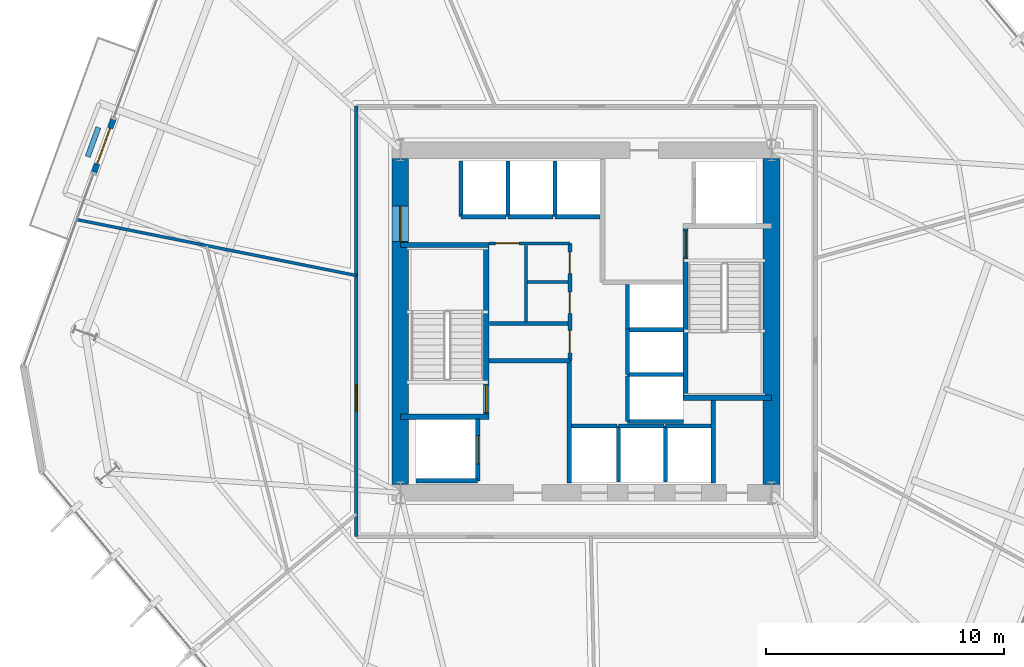
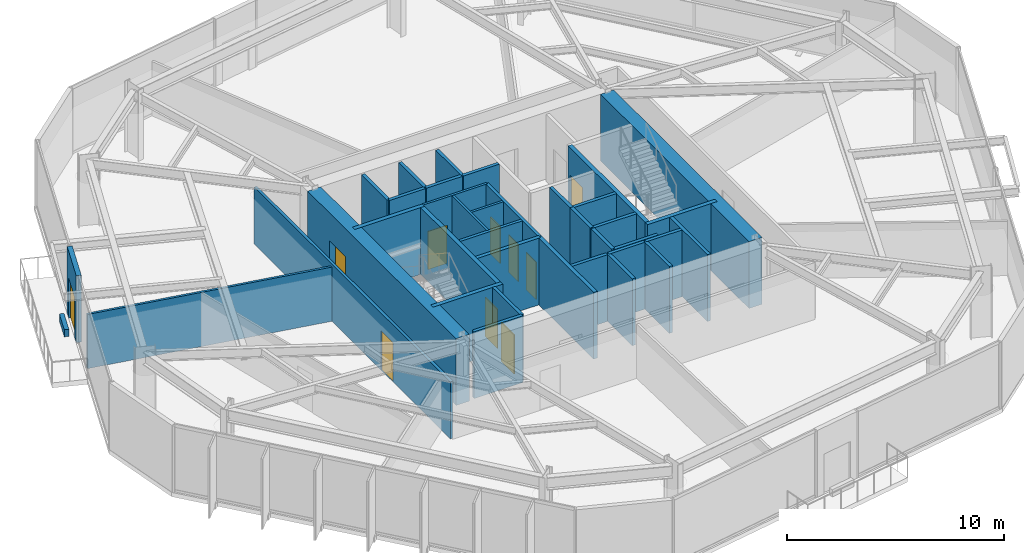
# One storey, part 6 of 10: 38 walls, 10 doors, 10 openings.
"""IFC4 building model written with IfcOpenShell, lengths in metres."""

from ifc_helpers import new_model, si_unit, direction, frame, frame_2d, origin, place, context, subcontext, project, spatial, rectangle, extrude, material, layer, layer_set, type_object, element, fill, save


model = new_model("IFC4")

# Units and contexts
model_context = context("Model", 3, precision=1e-05, world=origin(), true_north=direction((0.0, 1.0)))
body_context = subcontext(model_context, "Body", "Model", "MODEL_VIEW")
ifc_project = project(units=[si_unit("LENGTHUNIT", "METRE"), si_unit("AREAUNIT", "SQUARE_METRE"), si_unit("VOLUMEUNIT", "CUBIC_METRE"), si_unit("PLANEANGLEUNIT", "RADIAN"), si_unit("MASSUNIT", "GRAM", prefix="KILO")], contexts=[model_context])

# Site, building, storey
site_placement = place(None, origin())
site = spatial("IfcSite", under=ifc_project, at=site_placement, CompositionType="ELEMENT")
building_placement = place(site_placement, origin())
building = spatial("IfcBuilding", under=site, at=building_placement, Name="Kranzbogen Civic Tower", CompositionType="ELEMENT")
storey_placement = place(building_placement, frame((0.0, 0.0, 60.0)))
storey = spatial("IfcBuildingStorey", under=building, at=storey_placement, Name="L14", CompositionType="ELEMENT", Elevation=60.0)

# Wall, opening, door
ifc_material_1 = material(Name="Double-Stud Acoustic Gypsum Partition")
ifc_layer_1 = layer(ifc_material_1, 0.14990234375, Name="Double-Stud Acoustic Gypsum Partition")
ifc_layer_set_1 = layer_set([ifc_layer_1], Name="Double-Stud Acoustic Gypsum Partition")
wall_type_1 = type_object("IfcWallType", Name="Acoustic Corridor and Clinical Partition 150 mm", PredefinedType="PARTITIONING", material=ifc_layer_set_1)
wall_1_placement = place(storey_placement, frame((15.35009765625, 15.949951171875, 0.0), z_axis=(0.0, 0.0, 1.0), x_axis=(0.0, 1.0, 0.0)))
wall_1 = element("IfcWall", 1, at=wall_1_placement, inside=storey, type_object=wall_type_1, Name="L14 corridor partition 04", PredefinedType="PARTITIONING", context=body_context, shape_type="SweptSolid", body=[
    extrude(rectangle(XDim=18.10009765625, YDim=0.14990234375, at=frame_2d((9.050048828125, 0.0))), origin(), (0.0, 0.0, 1.0), 3.2099609375),
])
opening_1_placement = place(wall_1_placement, frame((5.2958984375, 0.0, 0.0)))
opening_1 = element("IfcOpeningElement", 2, at=opening_1_placement, cuts=wall_1, Name="Opening D-COR60", PredefinedType="OPENING", context=body_context, shape_type="SweptSolid", body=[
    extrude(rectangle(XDim=1.10009765625, YDim=2.199951171875, at=frame_2d((0.550048828125, 1.10009765625))), frame((0.0, 0.0849609375, 0.0), z_axis=(0.0, -1.0, 0.0), x_axis=(1.0, 0.0, 0.0)), (0.0, 0.0, 1.0), 0.169921875),
])
ifc_material_2 = material(Name="Oak Timber and Fire Core", Category="wood")
door_type_1 = type_object("IfcDoorType", Name="Corridor Acoustic Fire Door 1100x2200", OperationType="NOTDEFINED", PredefinedType="DOOR", material=ifc_material_2)
door_1_placement = place(opening_1_placement, origin())
door_1 = element("IfcDoor", 3, at=door_1_placement, inside=storey, type_object=door_type_1, Name="L14 Ministerial Policy Office door", OperationType="SINGLE_SWING_RIGHT", OverallHeight=2.199951171875, OverallWidth=1.10009765625, PredefinedType="DOOR", context=body_context, shape_type="SweptSolid", body=[
    extrude(rectangle(XDim=1.10009765625, YDim=2.199951171875, at=frame_2d((0.550048828125, 1.10009765625))), frame((0.0, 0.02490234375, 0.0), z_axis=(0.0, -1.0, 0.0), x_axis=(1.0, 0.0, 0.0)), (0.0, 0.0, 1.0), 0.050048828125),
])
fill(opening_1, door_1)

ifc_material_3 = material(Name="Insulated Metal-Stud Gypsum Partition")
ifc_layer_2 = layer(ifc_material_3, 0.125, Name="Insulated Metal-Stud Gypsum Partition")
ifc_layer_set_2 = layer_set([ifc_layer_2], Name="Insulated Metal-Stud Gypsum Partition")
wall_type_2 = type_object("IfcWallType", Name="Acoustic Inter-Room Partition 125 mm", PredefinedType="PARTITIONING", material=ifc_layer_set_2)
wall_2_placement = place(storey_placement, frame((20.919921875, 28.280029296875, 0.0), z_axis=(0.0, 0.0, 1.0), x_axis=(1.0, 0.0, 0.0)))
wall_2 = element("IfcWall", 4, at=wall_2_placement, inside=storey, type_object=wall_type_2, Name="L14 core auxiliary North wall", PredefinedType="PARTITIONING", context=body_context, shape_type="SweptSolid", body=[
    extrude(rectangle(XDim=3.405029296875, YDim=0.125, at=frame_2d((1.70263671875, 0.0))), origin(), (0.0, 0.0, 1.0), 3.760009765625),
])
opening_2_placement = place(wall_2_placement, frame((0.27001953125, 0.0, 0.0)))
opening_2 = element("IfcOpeningElement", 5, at=opening_2_placement, cuts=wall_2, Name="Opening D-RSR10", PredefinedType="OPENING", context=body_context, shape_type="SweptSolid", body=[
    extrude(rectangle(XDim=1.0, YDim=2.14990234375, at=frame_2d((0.5, 1.074951171875))), frame((0.0, 0.072509765625, 0.0), z_axis=(0.0, -1.0, 0.0), x_axis=(1.0, 0.0, 0.0)), (0.0, 0.0, 1.0), 0.14501953125),
])
door_type_2 = type_object("IfcDoorType", Name="Core Archive and Riser Fire Door 1000x2150", OperationType="NOTDEFINED", PredefinedType="DOOR", material=ifc_material_2)
door_2_placement = place(opening_2_placement, origin())
door_2 = element("IfcDoor", 6, at=door_2_placement, inside=storey, type_object=door_type_2, Name="L14 Floor Supply Store door", OperationType="SINGLE_SWING_RIGHT", OverallHeight=2.14990234375, OverallWidth=1.0, PredefinedType="DOOR", context=body_context, shape_type="SweptSolid", body=[
    extrude(rectangle(XDim=1.0, YDim=2.14990234375, at=frame_2d((0.5, 1.074951171875))), frame((0.0, 0.02490234375, 0.0), z_axis=(0.0, -1.0, 0.0), x_axis=(1.0, 0.0, 0.0)), (0.0, 0.0, 1.0), 0.050048828125),
])
fill(opening_2, door_2)

# Walls
wall_3_placement = place(storey_placement, frame((22.489990234375, 24.969970703125, 0.0), z_axis=(0.0, 0.0, 1.0), x_axis=(0.0, 1.0, 0.0)))
element("IfcWall", 7, at=wall_3_placement, inside=storey, type_object=wall_type_2, Name="L14 core auxiliary partition 2", PredefinedType="PARTITIONING", context=body_context, shape_type="SweptSolid", body=[
    extrude(rectangle(XDim=3.22998046875, YDim=0.125, at=frame_2d((1.614990234375, 0.0))), origin(), (0.0, 0.0, 1.0), 3.760009765625),
])
wall_4_placement = place(storey_placement, frame((22.550048828125, 26.659912109375, 0.0), z_axis=(0.0, 0.0, 1.0), x_axis=(1.0, 0.0, 0.0)))
element("IfcWall", 8, at=wall_4_placement, inside=storey, type_object=wall_type_2, Name="L14 core auxiliary partition 3", PredefinedType="PARTITIONING", context=body_context, shape_type="SweptSolid", body=[
    extrude(rectangle(XDim=1.699951171875, YDim=0.125, at=frame_2d((0.85009765625, 0.0))), origin(), (0.0, 0.0, 1.0), 3.760009765625),
])
wall_5_placement = place(storey_placement, frame((15.35009765625, 26.929931640625, 0.0), z_axis=(0.0, 0.0, 1.0), x_axis=(-0.980588523193, 0.196076893546, 0.0)))
element("IfcWall", 9, at=wall_5_placement, inside=storey, type_object=wall_type_2, Name="L14 radial room partition 03", PredefinedType="PARTITIONING", context=body_context, shape_type="SweptSolid", body=[
    extrude(rectangle(XDim=11.96435546875, YDim=0.125, at=frame_2d((5.982177734375, 0.0))), origin(), (0.0, 0.0, 1.0), 3.050048828125),
])
ifc_material_4 = material(Name="Architectural Precast Terracotta Concrete C40/50", Category="masonry")
ifc_layer_3 = layer(ifc_material_4, 0.219970703125, Name="Architectural Precast Terracotta Concrete C40/50")
ifc_layer_set_3 = layer_set([ifc_layer_3], Name="Architectural Precast Terracotta Concrete C40/50")
wall_type_3 = type_object("IfcWallType", Name="Architectural Tree Planter Kerb Wall 220 mm", PredefinedType="USERDEFINED", material=ifc_layer_set_3)
wall_6_placement = place(storey_placement, frame((4.5048828125, 33.15087890625, 0.0), z_axis=(0.0, 0.0, 1.0), x_axis=(-0.341411316317, -0.93991399239, 0.0)))
element("IfcWall", 10, at=wall_6_placement, inside=storey, type_object=wall_type_3, Name="L14 landscaped tree balcony planter L14-ST", ObjectType="PLANTER_WALL", PredefinedType="USERDEFINED", context=body_context, shape_type="SweptSolid", body=[
    extrude(rectangle(XDim=1.300048828125, YDim=0.219970703125, at=frame_2d((0.64990234375, 0.0))), origin(), (0.0, 0.0, 1.0), 0.39990234375),
])

# Wall, opening, door
ifc_material_5 = material(Name="Concrete C55/67", Category="concrete")
ifc_layer_4 = layer(ifc_material_5, 0.699951171875, Name="Concrete C55/67")
ifc_layer_set_4 = layer_set([ifc_layer_4], Name="Concrete C55/67")
wall_type_4 = type_object("IfcWallType", Name="Central Core Shear Wall 700 mm", PredefinedType="SHEAR", material=ifc_layer_set_4)
wall_7_placement = place(storey_placement, frame((17.199951171875, 31.85009765625, 0.0), z_axis=(0.0, 0.0, 1.0), x_axis=(0.0, -1.0, 0.0)))
wall_7 = element("IfcWall", 11, at=wall_7_placement, inside=storey, type_object=wall_type_4, Name="L14 central core West shear wall", PredefinedType="SHEAR", context=body_context, shape_type="SweptSolid", body=[
    extrude(rectangle(XDim=13.7001953125, YDim=0.699951171875, at=frame_2d((6.85009765625, 0.0))), origin(), (0.0, 0.0, 1.0), 3.760009765625),
])
opening_3_placement = place(wall_7_placement, frame((2.0, 0.0, 0.0)))
opening_3 = element("IfcOpeningElement", 12, at=opening_3_placement, cuts=wall_7, Name="Opening D-DBL15", PredefinedType="OPENING", context=body_context, shape_type="SweptSolid", body=[
    extrude(rectangle(XDim=1.5, YDim=2.199951171875, at=frame_2d((0.75, 1.10009765625))), frame((0.0, 0.35986328125, 0.0), z_axis=(0.0, -1.0, 0.0), x_axis=(1.0, 0.0, 0.0)), (0.0, 0.0, 1.0), 0.719970703125),
])
ifc_material_6 = material(Name="Anodised Bronze and Glass", Category="glass")
door_type_3 = type_object("IfcDoorType", Name="Civic Lobby Double Door 1500x2200", OperationType="DOUBLE_DOOR_SINGLE_SWING", PredefinedType="DOOR", material=ifc_material_6)
door_3_placement = place(opening_3_placement, origin())
door_3 = element("IfcDoor", 13, at=door_3_placement, inside=storey, type_object=door_type_3, Name="L14 Central Lift Lobby West concourse door", OperationType="DOUBLE_DOOR_SINGLE_SWING", OverallHeight=2.199951171875, OverallWidth=1.5, PredefinedType="DOOR", context=body_context, shape_type="SweptSolid", body=[
    extrude(rectangle(XDim=1.5, YDim=2.199951171875, at=frame_2d((0.75, 1.10009765625))), frame((0.0, 0.02490234375, 0.0), z_axis=(0.0, -1.0, 0.0), x_axis=(1.0, 0.0, 0.0)), (0.0, 0.0, 1.0), 0.050048828125),
])
fill(opening_3, door_3)

# Wall
wall_8_placement = place(storey_placement, frame((32.800048828125, 18.14990234375, 0.0), z_axis=(0.0, 0.0, 1.0), x_axis=(0.0, 1.0, 0.0)))
element("IfcWall", 14, at=wall_8_placement, inside=storey, type_object=wall_type_4, Name="L14 central core East shear wall", PredefinedType="SHEAR", context=body_context, shape_type="SweptSolid", body=[
    extrude(rectangle(XDim=13.7001953125, YDim=0.699951171875, at=frame_2d((6.85009765625, 0.0))), origin(), (0.0, 0.0, 1.0), 3.760009765625),
])

# Wall, opening, door
ifc_material_7 = material(Name="Concrete C45/55", Category="concrete")
ifc_layer_5 = layer(ifc_material_7, 0.219970703125, Name="Concrete C45/55")
ifc_layer_set_5 = layer_set([ifc_layer_5], Name="Concrete C45/55")
wall_type_5 = type_object("IfcWallType", Name="Core Internal Stair Structural Wall 220 mm", PredefinedType="SOLIDWALL", material=ifc_layer_set_5)
wall_9_placement = place(storey_placement, frame((20.81005859375, 20.989990234375, 0.0), z_axis=(0.0, 0.0, 1.0), x_axis=(0.0, 1.0, 0.0)))
wall_9 = element("IfcWall", 15, at=wall_9_placement, inside=storey, type_object=wall_type_5, Name="L14 ST-T1 East structural stair wall", PredefinedType="SOLIDWALL", context=body_context, shape_type="SweptSolid", body=[
    extrude(rectangle(XDim=7.219970703125, YDim=0.219970703125, at=frame_2d((3.60986328125, 0.0))), origin(), (0.0, 0.0, 1.0), 3.760009765625),
])
opening_4_placement = place(wall_9_placement, frame((0.179931640625, 0.0, 0.0)))
opening_4 = element("IfcOpeningElement", 16, at=opening_4_placement, cuts=wall_9, Name="Opening D-ST90", PredefinedType="OPENING", context=body_context, shape_type="SweptSolid", body=[
    extrude(rectangle(XDim=1.14990234375, YDim=2.199951171875, at=frame_2d((0.574951171875, 1.10009765625))), frame((0.0, 0.1201171875, 0.0), z_axis=(0.0, -1.0, 0.0), x_axis=(1.0, 0.0, 0.0)), (0.0, 0.0, 1.0), 0.239990234375),
])
ifc_material_8 = material(Name="Steel S355", Category="steel")
door_type_4 = type_object("IfcDoorType", Name="Pressurized Stair and Lobby Fire Door 1150x2200", OperationType="NOTDEFINED", PredefinedType="DOOR", material=ifc_material_8)
door_4_placement = place(opening_4_placement, origin())
door_4 = element("IfcDoor", 17, at=door_4_placement, inside=storey, type_object=door_type_4, Name="L14 Stair ST-T1 fire door", OperationType="SINGLE_SWING_LEFT", OverallHeight=2.199951171875, OverallWidth=1.14990234375, PredefinedType="DOOR", context=body_context, shape_type="SweptSolid", body=[
    extrude(rectangle(XDim=1.14990234375, YDim=2.199951171875, at=frame_2d((0.574951171875, 1.10009765625))), frame((0.0, 0.02490234375, 0.0), z_axis=(0.0, -1.0, 0.0), x_axis=(1.0, 0.0, 0.0)), (0.0, 0.0, 1.0), 0.050048828125),
])
fill(opening_4, door_4)

# Walls
for number, where, z_axis, x_axis, name in (
    (18, (17.199951171875, 20.989990234375, 0.0), (0.0, 0.0, 1.0), (1.0, 0.0, 0.0), "L14 ST-T1 South structural stair wall"),
    (19, (17.199951171875, 28.2099609375, 0.0), (0.0, 0.0, 1.0), (1.0, 0.0, 0.0), "L14 ST-T1 North structural stair wall"),
):
    element("IfcWall", number, at=place(storey_placement, frame(where, z_axis=z_axis, x_axis=x_axis)), inside=storey, type_object=wall_type_5, Name=name, PredefinedType="SOLIDWALL", context=body_context, shape_type="SweptSolid", body=[
        extrude(rectangle(XDim=3.719970703125, YDim=0.219970703125, at=frame_2d((1.85986328125, 0.0))), origin(), (0.0, 0.0, 1.0), 3.760009765625),
    ])

# Wall, opening, door
wall_10_placement = place(storey_placement, frame((29.18994140625, 21.7900390625, 0.0), z_axis=(0.0, 0.0, 1.0), x_axis=(0.0, 1.0, 0.0)))
wall_10 = element("IfcWall", 20, at=wall_10_placement, inside=storey, type_object=wall_type_5, Name="L14 ST-T2 West structural stair wall", PredefinedType="SOLIDWALL", context=body_context, shape_type="SweptSolid", body=[
    extrude(rectangle(XDim=7.219970703125, YDim=0.219970703125, at=frame_2d((3.60986328125, 0.0))), origin(), (0.0, 0.0, 1.0), 3.760009765625),
])
opening_5_placement = place(wall_10_placement, frame((5.8798828125, 0.0, 0.0)))
opening_5 = element("IfcOpeningElement", 21, at=opening_5_placement, cuts=wall_10, Name="Opening D-ST90", PredefinedType="OPENING", context=body_context, shape_type="SweptSolid", body=[
    extrude(rectangle(XDim=1.14990234375, YDim=2.199951171875, at=frame_2d((0.574951171875, 1.10009765625))), frame((0.0, 0.1201171875, 0.0), z_axis=(0.0, -1.0, 0.0), x_axis=(1.0, 0.0, 0.0)), (0.0, 0.0, 1.0), 0.239990234375),
])
door_5_placement = place(opening_5_placement, origin())
door_5 = element("IfcDoor", 22, at=door_5_placement, inside=storey, type_object=door_type_4, Name="L14 Stair ST-T2 fire door", OperationType="SINGLE_SWING_RIGHT", OverallHeight=2.199951171875, OverallWidth=1.14990234375, PredefinedType="DOOR", context=body_context, shape_type="SweptSolid", body=[
    extrude(rectangle(XDim=1.14990234375, YDim=2.199951171875, at=frame_2d((0.574951171875, 1.10009765625))), frame((0.0, 0.02490234375, 0.0), z_axis=(0.0, -1.0, 0.0), x_axis=(1.0, 0.0, 0.0)), (0.0, 0.0, 1.0), 0.050048828125),
])
fill(opening_5, door_5)

# Walls
wall_11_placement = place(storey_placement, frame((29.080078125, 21.7900390625, 0.0), z_axis=(0.0, 0.0, 1.0), x_axis=(1.0, 0.0, 0.0)))
element("IfcWall", 23, at=wall_11_placement, inside=storey, type_object=wall_type_5, Name="L14 ST-T2 South structural stair wall", PredefinedType="SOLIDWALL", context=body_context, shape_type="SweptSolid", body=[
    extrude(rectangle(XDim=3.719970703125, YDim=0.219970703125, at=frame_2d((1.85986328125, 0.0))), origin(), (0.0, 0.0, 1.0), 3.760009765625),
])
ifc_material_9 = material(Name="Gypsum Fireboard and Concrete Block", Category="concrete")
ifc_layer_6 = layer(ifc_material_9, 0.199951171875, Name="Gypsum Fireboard and Concrete Block")
ifc_layer_set_6 = layer_set([ifc_layer_6], Name="Gypsum Fireboard and Concrete Block")
wall_type_6 = type_object("IfcWallType", Name="Fire-Rated Exit Passageway and Stair Wall 200 mm", PredefinedType="PARTITIONING", material=ifc_layer_set_6)
wall_12_placement = place(storey_placement, frame((24.300048828125, 18.199951171875, 0.0), z_axis=(0.0, 0.0, 1.0), x_axis=(0.0, 1.0, 0.0)))
element("IfcWall", 24, at=wall_12_placement, inside=storey, type_object=wall_type_6, Name="L14 West firefighting lobby East wall", PredefinedType="PARTITIONING", context=body_context, shape_type="SweptSolid", body=[
    extrude(rectangle(XDim=5.150146484375, YDim=0.199951171875, at=frame_2d((2.5751953125, 0.0))), origin(), (0.0, 0.0, 1.0), 3.760009765625),
])
wall_13_placement = place(storey_placement, frame((20.919921875, 23.35009765625, 0.0), z_axis=(0.0, 0.0, 1.0), x_axis=(1.0, 0.0, 0.0)))
element("IfcWall", 25, at=wall_13_placement, inside=storey, type_object=wall_type_6, Name="L14 West firefighting lobby North wall", PredefinedType="PARTITIONING", context=body_context, shape_type="SweptSolid", body=[
    extrude(rectangle(XDim=3.380126953125, YDim=0.199951171875, at=frame_2d((1.68994140625, 0.0))), origin(), (0.0, 0.0, 1.0), 3.760009765625),
])
ifc_material_10 = material(Name="Gypsum Fireboard Shaftliner")
ifc_layer_7 = layer(ifc_material_10, 0.175048828125, Name="Gypsum Fireboard Shaftliner")
ifc_layer_set_7 = layer_set([ifc_layer_7], Name="Gypsum Fireboard Shaftliner")
wall_type_7 = type_object("IfcWallType", Name="Fire-Rated Lift and Service Shaft Wall 175 mm", PredefinedType="PARTITIONING", material=ifc_layer_set_7)
wall_14_placement = place(storey_placement, frame((30.35009765625, 18.199951171875, 0.0), z_axis=(0.0, 0.0, 1.0), x_axis=(0.0, 1.0, 0.0)))
element("IfcWall", 26, at=wall_14_placement, inside=storey, type_object=wall_type_7, Name="L14 East core riser West wall", PredefinedType="PARTITIONING", context=body_context, shape_type="SweptSolid", body=[
    extrude(rectangle(XDim=3.47998046875, YDim=0.175048828125, at=frame_2d((1.739990234375, 0.0))), origin(), (0.0, 0.0, 1.0), 3.760009765625),
])
wall_15_placement = place(storey_placement, frame((24.39990234375, 20.60009765625, 0.0), z_axis=(0.0, 0.0, 1.0), x_axis=(1.0, 0.0, 0.0)))
element("IfcWall", 27, at=wall_15_placement, inside=storey, type_object=wall_type_7, Name="L14 lift LP-01 rear wall", PredefinedType="PARTITIONING", context=body_context, shape_type="SweptSolid", body=[
    extrude(rectangle(XDim=1.900146484375, YDim=0.175048828125, at=frame_2d((0.9501953125, 0.0))), origin(), (0.0, 0.0, 1.0), 3.760009765625),
])
wall_16_placement = place(storey_placement, frame((26.375, 20.60009765625, 0.0), z_axis=(0.0, 0.0, 1.0), x_axis=(1.0, 0.0, 0.0)))
element("IfcWall", 28, at=wall_16_placement, inside=storey, type_object=wall_type_7, Name="L14 lift LP-02 rear wall", PredefinedType="PARTITIONING", context=body_context, shape_type="SweptSolid", body=[
    extrude(rectangle(XDim=1.89990234375, YDim=0.175048828125, at=frame_2d((0.949951171875, 0.0))), origin(), (0.0, 0.0, 1.0), 3.760009765625),
])
wall_17_placement = place(storey_placement, frame((26.375, 18.25, 0.0), z_axis=(0.0, 0.0, 1.0), x_axis=(0.0, 1.0, 0.0)))
element("IfcWall", 29, at=wall_17_placement, inside=storey, type_object=wall_type_7, Name="L14 lift LP-02 side wall", PredefinedType="PARTITIONING", context=body_context, shape_type="SweptSolid", body=[
    extrude(rectangle(XDim=2.35009765625, YDim=0.175048828125, at=frame_2d((1.175048828125, 0.0))), origin(), (0.0, 0.0, 1.0), 3.760009765625),
])
wall_18_placement = place(storey_placement, frame((28.35009765625, 20.60009765625, 0.0), z_axis=(0.0, 0.0, 1.0), x_axis=(1.0, 0.0, 0.0)))
element("IfcWall", 30, at=wall_18_placement, inside=storey, type_object=wall_type_7, Name="L14 lift LP-03 rear wall", PredefinedType="PARTITIONING", context=body_context, shape_type="SweptSolid", body=[
    extrude(rectangle(XDim=1.89990234375, YDim=0.175048828125, at=frame_2d((0.949951171875, 0.0))), origin(), (0.0, 0.0, 1.0), 3.760009765625),
])
wall_19_placement = place(storey_placement, frame((28.35009765625, 18.25, 0.0), z_axis=(0.0, 0.0, 1.0), x_axis=(0.0, 1.0, 0.0)))
element("IfcWall", 31, at=wall_19_placement, inside=storey, type_object=wall_type_7, Name="L14 lift LP-03 side wall", PredefinedType="PARTITIONING", context=body_context, shape_type="SweptSolid", body=[
    extrude(rectangle(XDim=2.35009765625, YDim=0.175048828125, at=frame_2d((1.175048828125, 0.0))), origin(), (0.0, 0.0, 1.0), 3.760009765625),
])
wall_20_placement = place(storey_placement, frame((19.75, 29.39990234375, 0.0), z_axis=(0.0, 0.0, 1.0), x_axis=(1.0, 0.0, 0.0)))
element("IfcWall", 32, at=wall_20_placement, inside=storey, type_object=wall_type_7, Name="L14 lift MP-01 rear wall", PredefinedType="PARTITIONING", context=body_context, shape_type="SweptSolid", body=[
    extrude(rectangle(XDim=1.89990234375, YDim=0.175048828125, at=frame_2d((0.949951171875, 0.0))), origin(), (0.0, 0.0, 1.0), 3.760009765625),
])
wall_21_placement = place(storey_placement, frame((19.75, 29.39990234375, 0.0), z_axis=(0.0, 0.0, 1.0), x_axis=(0.0, 1.0, 0.0)))
element("IfcWall", 33, at=wall_21_placement, inside=storey, type_object=wall_type_7, Name="L14 lift MP-01 side wall", PredefinedType="PARTITIONING", context=body_context, shape_type="SweptSolid", body=[
    extrude(rectangle(XDim=2.35009765625, YDim=0.175048828125, at=frame_2d((1.175048828125, 0.0))), origin(), (0.0, 0.0, 1.0), 3.760009765625),
])
wall_22_placement = place(storey_placement, frame((21.72509765625, 29.39990234375, 0.0), z_axis=(0.0, 0.0, 1.0), x_axis=(1.0, 0.0, 0.0)))
element("IfcWall", 34, at=wall_22_placement, inside=storey, type_object=wall_type_7, Name="L14 lift MP-02 rear wall", PredefinedType="PARTITIONING", context=body_context, shape_type="SweptSolid", body=[
    extrude(rectangle(XDim=1.89990234375, YDim=0.175048828125, at=frame_2d((0.949951171875, 0.0))), origin(), (0.0, 0.0, 1.0), 3.760009765625),
])
wall_23_placement = place(storey_placement, frame((21.72509765625, 29.39990234375, 0.0), z_axis=(0.0, 0.0, 1.0), x_axis=(0.0, 1.0, 0.0)))
element("IfcWall", 35, at=wall_23_placement, inside=storey, type_object=wall_type_7, Name="L14 lift MP-02 side wall", PredefinedType="PARTITIONING", context=body_context, shape_type="SweptSolid", body=[
    extrude(rectangle(XDim=2.35009765625, YDim=0.175048828125, at=frame_2d((1.175048828125, 0.0))), origin(), (0.0, 0.0, 1.0), 3.760009765625),
])
wall_24_placement = place(storey_placement, frame((23.699951171875, 29.39990234375, 0.0), z_axis=(0.0, 0.0, 1.0), x_axis=(1.0, 0.0, 0.0)))
element("IfcWall", 36, at=wall_24_placement, inside=storey, type_object=wall_type_7, Name="L14 lift MP-03 rear wall", PredefinedType="PARTITIONING", context=body_context, shape_type="SweptSolid", body=[
    extrude(rectangle(XDim=1.900146484375, YDim=0.175048828125, at=frame_2d((0.9501953125, 0.0))), origin(), (0.0, 0.0, 1.0), 3.760009765625),
])
wall_25_placement = place(storey_placement, frame((23.699951171875, 29.39990234375, 0.0), z_axis=(0.0, 0.0, 1.0), x_axis=(0.0, 1.0, 0.0)))
element("IfcWall", 37, at=wall_25_placement, inside=storey, type_object=wall_type_7, Name="L14 lift MP-03 side wall", PredefinedType="PARTITIONING", context=body_context, shape_type="SweptSolid", body=[
    extrude(rectangle(XDim=2.35009765625, YDim=0.175048828125, at=frame_2d((1.175048828125, 0.0))), origin(), (0.0, 0.0, 1.0), 3.760009765625),
])
wall_26_placement = place(storey_placement, frame((26.75, 20.800048828125, 0.0), z_axis=(0.0, 0.0, 1.0), x_axis=(0.0, 1.0, 0.0)))
element("IfcWall", 38, at=wall_26_placement, inside=storey, type_object=wall_type_7, Name="L14 lift HP-01 landing wall", PredefinedType="PARTITIONING", context=body_context, shape_type="SweptSolid", body=[
    extrude(rectangle(XDim=1.89990234375, YDim=0.175048828125, at=frame_2d((0.949951171875, 0.0))), origin(), (0.0, 0.0, 1.0), 3.760009765625),
])
wall_27_placement = place(storey_placement, frame((26.75, 20.800048828125, 0.0), z_axis=(0.0, 0.0, 1.0), x_axis=(1.0, 0.0, 0.0)))
element("IfcWall", 39, at=wall_27_placement, inside=storey, type_object=wall_type_7, Name="L14 lift HP-01 side wall", PredefinedType="PARTITIONING", context=body_context, shape_type="SweptSolid", body=[
    extrude(rectangle(XDim=2.35009765625, YDim=0.175048828125, at=frame_2d((1.175048828125, 0.0))), origin(), (0.0, 0.0, 1.0), 3.760009765625),
])
wall_28_placement = place(storey_placement, frame((26.75, 22.77490234375, 0.0), z_axis=(0.0, 0.0, 1.0), x_axis=(0.0, 1.0, 0.0)))
element("IfcWall", 40, at=wall_28_placement, inside=storey, type_object=wall_type_7, Name="L14 lift HP-02 landing wall", PredefinedType="PARTITIONING", context=body_context, shape_type="SweptSolid", body=[
    extrude(rectangle(XDim=1.900146484375, YDim=0.175048828125, at=frame_2d((0.9501953125, 0.0))), origin(), (0.0, 0.0, 1.0), 3.760009765625),
])
wall_29_placement = place(storey_placement, frame((26.75, 22.77490234375, 0.0), z_axis=(0.0, 0.0, 1.0), x_axis=(1.0, 0.0, 0.0)))
element("IfcWall", 41, at=wall_29_placement, inside=storey, type_object=wall_type_7, Name="L14 lift HP-02 side wall", PredefinedType="PARTITIONING", context=body_context, shape_type="SweptSolid", body=[
    extrude(rectangle(XDim=2.35009765625, YDim=0.175048828125, at=frame_2d((1.175048828125, 0.0))), origin(), (0.0, 0.0, 1.0), 3.760009765625),
])
wall_30_placement = place(storey_placement, frame((26.75, 24.64990234375, 0.0), z_axis=(0.0, 0.0, 1.0), x_axis=(0.0, 1.0, 0.0)))
element("IfcWall", 42, at=wall_30_placement, inside=storey, type_object=wall_type_7, Name="L14 lift HP-03 landing wall", PredefinedType="PARTITIONING", context=body_context, shape_type="SweptSolid", body=[
    extrude(rectangle(XDim=1.900146484375, YDim=0.175048828125, at=frame_2d((0.9501953125, 0.0))), origin(), (0.0, 0.0, 1.0), 3.760009765625),
])
wall_31_placement = place(storey_placement, frame((26.75, 24.64990234375, 0.0), z_axis=(0.0, 0.0, 1.0), x_axis=(1.0, 0.0, 0.0)))
element("IfcWall", 43, at=wall_31_placement, inside=storey, type_object=wall_type_7, Name="L14 lift HP-03 side wall", PredefinedType="PARTITIONING", context=body_context, shape_type="SweptSolid", body=[
    extrude(rectangle(XDim=2.35009765625, YDim=0.175048828125, at=frame_2d((1.175048828125, 0.0))), origin(), (0.0, 0.0, 1.0), 3.760009765625),
])

# Wall, opening, door
wall_32_placement = place(storey_placement, frame((20.449951171875, 18.300048828125, 0.0), z_axis=(0.0, 0.0, 1.0), x_axis=(0.0, 1.0, 0.0)))
wall_32 = element("IfcWall", 44, at=wall_32_placement, inside=storey, type_object=wall_type_7, Name="L14 lift FF-01 landing wall", PredefinedType="PARTITIONING", context=body_context, shape_type="SweptSolid", body=[
    extrude(rectangle(XDim=2.599853515625, YDim=0.175048828125, at=frame_2d((1.2998046875, 0.0))), origin(), (0.0, 0.0, 1.0), 3.760009765625),
])
opening_6_placement = place(wall_32_placement, frame((0.699951171875, 0.0, 0.0)))
opening_6 = element("IfcOpeningElement", 45, at=opening_6_placement, cuts=wall_32, Name="Opening LD-FF-01", PredefinedType="OPENING", context=body_context, shape_type="SweptSolid", body=[
    extrude(rectangle(XDim=1.199951171875, YDim=2.199951171875, at=frame_2d((0.60009765625, 1.10009765625))), frame((0.0, 0.09765625, 0.0), z_axis=(0.0, -1.0, 0.0), x_axis=(1.0, 0.0, 0.0)), (0.0, 0.0, 1.0), 0.195068359375),
])
ifc_material_11 = material(Name="Pale Anodised Aluminium", Category="aluminium")
door_type_5 = type_object("IfcDoorType", Name="Firefighting and Stretcher Lift Sliding Landing Door 1200x2200", OperationType="DOUBLE_DOOR_SLIDING", PredefinedType="DOOR", material=ifc_material_11)
door_6_placement = place(opening_6_placement, origin())
door_6 = element("IfcDoor", 46, at=door_6_placement, inside=storey, type_object=door_type_5, Name="L14 lift FF-01 sliding landing door", OperationType="DOUBLE_DOOR_SLIDING", OverallHeight=2.199951171875, OverallWidth=1.199951171875, PredefinedType="DOOR", context=body_context, shape_type="SweptSolid", body=[
    extrude(rectangle(XDim=1.199951171875, YDim=2.199951171875, at=frame_2d((0.60009765625, 1.10009765625))), frame((0.0, 0.02490234375, 0.0), z_axis=(0.0, -1.0, 0.0), x_axis=(1.0, 0.0, 0.0)), (0.0, 0.0, 1.0), 0.050048828125),
])
fill(opening_6, door_6)

# Wall
wall_33_placement = place(storey_placement, frame((17.85009765625, 18.300048828125, 0.0), z_axis=(0.0, 0.0, 1.0), x_axis=(1.0, 0.0, 0.0)))
element("IfcWall", 47, at=wall_33_placement, inside=storey, type_object=wall_type_7, Name="L14 lift FF-01 side wall", PredefinedType="PARTITIONING", context=body_context, shape_type="SweptSolid", body=[
    extrude(rectangle(XDim=2.599853515625, YDim=0.175048828125, at=frame_2d((1.2998046875, 0.0))), origin(), (0.0, 0.0, 1.0), 3.760009765625),
])

# Wall, opening, door
ifc_layer_8 = layer(ifc_material_11, 0.239990234375, Name="Pale Anodised Aluminium")
ifc_layer_set_8 = layer_set([ifc_layer_8], Name="Pale Anodised Aluminium")
wall_type_8 = type_object("IfcWallType", Name="Insulated Aluminium Facade Portal Wall 240 mm", PredefinedType="STANDARD", material=ifc_layer_set_8)
wall_34_placement = place(storey_placement, frame((5.138916015625, 33.506103515625, 0.0), z_axis=(0.0, 0.0, 1.0), x_axis=(-0.342020767299, -0.939692393678, 0.0)))
wall_34 = element("IfcWall", 48, at=wall_34_placement, inside=storey, type_object=wall_type_8, Name="L14 exterior entrance portal wall 1", PredefinedType="STANDARD", context=body_context, shape_type="SweptSolid", body=[
    extrude(rectangle(XDim=2.39990234375, YDim=0.239990234375, at=frame_2d((1.199951171875, 0.0))), origin(), (0.0, 0.0, 1.0), 3.760009765625),
])
opening_7_placement = place(wall_34_placement, frame((0.39990234375, 0.0, 0.0)))
opening_7 = element("IfcOpeningElement", 49, at=opening_7_placement, cuts=wall_34, Name="Opening D-TER", PredefinedType="OPENING", context=body_context, shape_type="SweptSolid", body=[
    extrude(rectangle(XDim=1.60009765625, YDim=2.25, at=frame_2d((0.800048828125, 1.125))), frame((0.0, 0.1298828125, 0.0), z_axis=(0.0, -1.0, 0.0), x_axis=(1.0, 0.0, 0.0)), (0.0, 0.0, 1.0), 0.260009765625),
])
ifc_material_12 = material(Name="Anodised Bronze and Triple Glass", Category="glass")
door_type_6 = type_object("IfcDoorType", Name="Glazed Terrace and Balcony Double Door 1600x2250", OperationType="DOUBLE_DOOR_SINGLE_SWING", PredefinedType="DOOR", material=ifc_material_12)
door_7_placement = place(opening_7_placement, frame((1.60009765625, 0.0, 0.0), z_axis=(0.0, 0.0, 1.0), x_axis=(-1.0, 0.0, 0.0)))
door_7 = element("IfcDoor", 50, at=door_7_placement, inside=storey, type_object=door_type_6, Name="L14 spiral terrace access door L14-ST", OperationType="DOUBLE_DOOR_SINGLE_SWING", OverallHeight=2.25, OverallWidth=1.60009765625, PredefinedType="DOOR", context=body_context, shape_type="SweptSolid", body=[
    extrude(rectangle(XDim=1.60009765625, YDim=2.25, at=frame_2d((0.800048828125, 1.125))), frame((0.0, 0.02490234375, 0.0), z_axis=(0.0, -1.0, 0.0), x_axis=(1.0, 0.0, 0.0)), (0.0, 0.0, 1.0), 0.050048828125),
])
fill(opening_7, door_7)

# Wall, openings, doors
ifc_material_13 = material(Name="Moisture-Resistant Gypsum Assembly")
ifc_layer_9 = layer(ifc_material_13, 0.159912109375, Name="Moisture-Resistant Gypsum Assembly")
ifc_layer_set_9 = layer_set([ifc_layer_9], Name="Moisture-Resistant Gypsum Assembly")
wall_type_9 = type_object("IfcWallType", Name="Sanitary and Plumbing Wet Wall 160 mm", PredefinedType="PLUMBINGWALL", material=ifc_layer_set_9)
wall_35_placement = place(storey_placement, frame((24.324951171875, 23.35009765625, 0.0), z_axis=(0.0, 0.0, 1.0), x_axis=(0.0, 1.0, 0.0)))
wall_35 = element("IfcWall", 51, at=wall_35_placement, inside=storey, type_object=wall_type_9, Name="L14 core auxiliary East wall", PredefinedType="PLUMBINGWALL", context=body_context, shape_type="SweptSolid", body=[
    extrude(rectangle(XDim=4.929931640625, YDim=0.159912109375, at=frame_2d((2.46484375, 0.0))), origin(), (0.0, 0.0, 1.0), 3.760009765625),
])
opening_8_placement = place(wall_35_placement, frame((0.324951171875, 0.0, 0.0)))
opening_8 = element("IfcOpeningElement", 52, at=opening_8_placement, cuts=wall_35, Name="Opening D-AWC95", PredefinedType="OPENING", context=body_context, shape_type="SweptSolid", body=[
    extrude(rectangle(XDim=0.949951171875, YDim=2.10009765625, at=frame_2d((0.47509765625, 1.050048828125))), frame((0.0, 0.08984375, 0.0), z_axis=(0.0, -1.0, 0.0), x_axis=(1.0, 0.0, 0.0)), (0.0, 0.0, 1.0), 0.179931640625),
])
opening_9_placement = place(wall_35_placement, frame((1.985107421875, 0.0, 0.0)))
opening_9 = element("IfcOpeningElement", 53, at=opening_9_placement, cuts=wall_35, Name="Opening D-WC90", PredefinedType="OPENING", context=body_context, shape_type="SweptSolid", body=[
    extrude(rectangle(XDim=0.89990234375, YDim=2.10009765625, at=frame_2d((0.449951171875, 1.050048828125))), frame((0.0, 0.08984375, 0.0), z_axis=(0.0, -1.0, 0.0), x_axis=(1.0, 0.0, 0.0)), (0.0, 0.0, 1.0), 0.179931640625),
])
opening_10_placement = place(wall_35_placement, frame((3.659912109375, 0.0, 0.0)))
opening_10 = element("IfcOpeningElement", 54, at=opening_10_placement, cuts=wall_35, Name="Opening D-WC90", PredefinedType="OPENING", context=body_context, shape_type="SweptSolid", body=[
    extrude(rectangle(XDim=0.89990234375, YDim=2.10009765625, at=frame_2d((0.449951171875, 1.050048828125))), frame((0.0, 0.08984375, 0.0), z_axis=(0.0, -1.0, 0.0), x_axis=(1.0, 0.0, 0.0)), (0.0, 0.0, 1.0), 0.179931640625),
])
ifc_material_14 = material(Name="Moisture-Resistant Laminate")
door_type_7 = type_object("IfcDoorType", Name="Accessible Restroom Door 950x2100", OperationType="NOTDEFINED", PredefinedType="DOOR", material=ifc_material_14)
door_8_placement = place(opening_8_placement, origin())
door_8 = element("IfcDoor", 55, at=door_8_placement, inside=storey, type_object=door_type_7, Name="L14 Accessible Restroom door", OperationType="SINGLE_SWING_LEFT", OverallHeight=2.10009765625, OverallWidth=0.949951171875, PredefinedType="DOOR", context=body_context, shape_type="SweptSolid", body=[
    extrude(rectangle(XDim=0.949951171875, YDim=2.10009765625, at=frame_2d((0.47509765625, 1.050048828125))), frame((0.0, 0.02490234375, 0.0), z_axis=(0.0, -1.0, 0.0), x_axis=(1.0, 0.0, 0.0)), (0.0, 0.0, 1.0), 0.050048828125),
])
fill(opening_8, door_8)
door_type_8 = type_object("IfcDoorType", Name="Standard Restroom and Store Door 900x2100", OperationType="NOTDEFINED", PredefinedType="DOOR", material=ifc_material_14)
door_9_placement = place(opening_9_placement, origin())
door_9 = element("IfcDoor", 56, at=door_9_placement, inside=storey, type_object=door_type_8, Name="L14 Gender-Neutral Restroom door", OperationType="SINGLE_SWING_RIGHT", OverallHeight=2.10009765625, OverallWidth=0.89990234375, PredefinedType="DOOR", context=body_context, shape_type="SweptSolid", body=[
    extrude(rectangle(XDim=0.89990234375, YDim=2.10009765625, at=frame_2d((0.449951171875, 1.050048828125))), frame((0.0, 0.02490234375, 0.0), z_axis=(0.0, -1.0, 0.0), x_axis=(1.0, 0.0, 0.0)), (0.0, 0.0, 1.0), 0.050048828125),
])
fill(opening_9, door_9)
door_10_placement = place(opening_10_placement, origin())
door_10 = element("IfcDoor", 57, at=door_10_placement, inside=storey, type_object=door_type_8, Name="L14 Floor IT Patch Closet door", OperationType="SINGLE_SWING_LEFT", OverallHeight=2.10009765625, OverallWidth=0.89990234375, PredefinedType="DOOR", context=body_context, shape_type="SweptSolid", body=[
    extrude(rectangle(XDim=0.89990234375, YDim=2.10009765625, at=frame_2d((0.449951171875, 1.050048828125))), frame((0.0, 0.02490234375, 0.0), z_axis=(0.0, -1.0, 0.0), x_axis=(1.0, 0.0, 0.0)), (0.0, 0.0, 1.0), 0.050048828125),
])
fill(opening_10, door_10)

# Wall
wall_36_placement = place(storey_placement, frame((20.949951171875, 24.909912109375, 0.0), z_axis=(0.0, 0.0, 1.0), x_axis=(1.0, 0.0, 0.0)))
element("IfcWall", 58, at=wall_36_placement, inside=storey, type_object=wall_type_9, Name="L14 core auxiliary partition 1", PredefinedType="PLUMBINGWALL", context=body_context, shape_type="SweptSolid", body=[
    extrude(rectangle(XDim=3.300048828125, YDim=0.159912109375, at=frame_2d((1.64990234375, 0.0))), origin(), (0.0, 0.0, 1.0), 3.760009765625),
])

save(model, "model.ifc")
